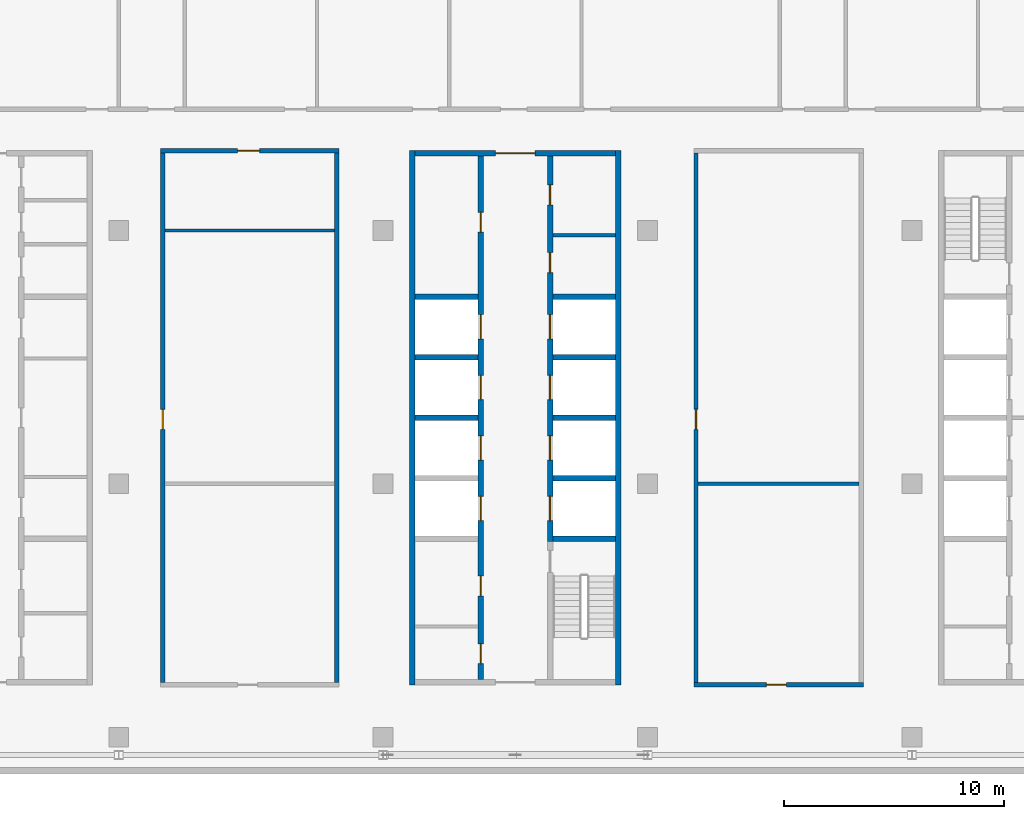
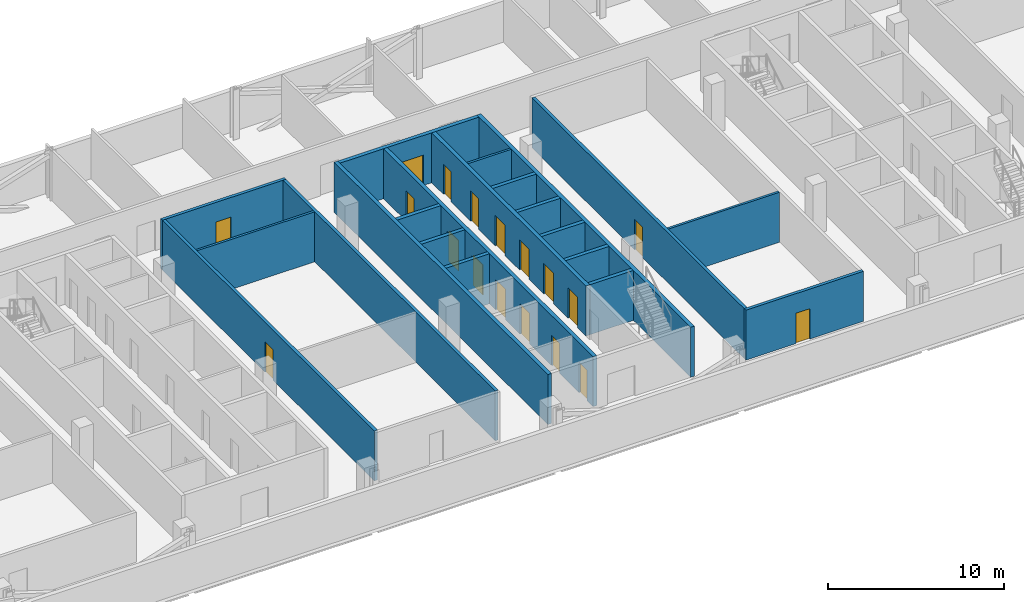
# One storey, part 15 of 29: 21 walls, 18 doors, 18 openings.
"""IFC4 building model written with IfcOpenShell, lengths in metres."""

from ifc_helpers import new_model, si_unit, direction, frame, frame_2d, origin, place, context, subcontext, project, spatial, rectangle, extrude, material, layer, layer_set, type_object, element, fill, save


model = new_model("IFC4")

# Units and contexts
model_context = context("Model", 3, precision=1e-05, world=origin(), true_north=direction((0.0, 1.0)))
body_context = subcontext(model_context, "Body", "Model", "MODEL_VIEW")
ifc_project = project(units=[si_unit("LENGTHUNIT", "METRE"), si_unit("AREAUNIT", "SQUARE_METRE"), si_unit("VOLUMEUNIT", "CUBIC_METRE"), si_unit("PLANEANGLEUNIT", "RADIAN"), si_unit("MASSUNIT", "GRAM", prefix="KILO")], contexts=[model_context])

# Site, building, storey
site_placement = place(None, origin())
site = spatial("IfcSite", under=ifc_project, at=site_placement, CompositionType="ELEMENT")
building_placement = place(site_placement, origin())
building = spatial("IfcBuilding", under=site, at=building_placement, Name="Mahtab Terrace Research Tower", CompositionType="ELEMENT")
storey_placement = place(building_placement, frame((0.0, 0.0, 274.699951171875)))
storey = spatial("IfcBuildingStorey", under=building, at=storey_placement, Name="L67", CompositionType="ELEMENT", Elevation=274.699951171875)

# Walls
ifc_material_1 = material(Name="Gypsum board partition")
ifc_layer_1 = layer(ifc_material_1, 0.14990234375)
ifc_layer_set_1 = layer_set([ifc_layer_1], Name="Core partition 150")
wall_type_1 = type_object("IfcWallType", Name="Core partition 150", PredefinedType="PARTITIONING", material=ifc_layer_set_1)
wall_1_placement = place(storey_placement, frame((1.699951171875, 11.27490234375, 0.0), z_axis=(0.0, 0.0, 1.0), x_axis=(1.0, 0.0, 0.0)))
element("IfcWall", 1, at=wall_1_placement, inside=storey, type_object=wall_type_1, Name="Core wall B pEN828", PredefinedType="PARTITIONING", context=body_context, shape_type="SweptSolid", body=[
    extrude(rectangle(XDim=2.85009765625, YDim=0.14990234375, at=frame_2d((1.425048828125, 0.0))), origin(), (0.0, 0.0, 1.0), 3.4599609375),
])
ifc_material_2 = material(Name="Concrete C70/85", Category="concrete")
ifc_layer_2 = layer(ifc_material_2, 0.25)
ifc_layer_set_2 = layer_set([ifc_layer_2], Name="Core wall 250")
wall_type_2 = type_object("IfcWallType", Name="Core wall 250", PredefinedType="SOLIDWALL", material=ifc_layer_set_2)
for number, where, z_axis, x_axis, name in (
    (2, (-4.675048828125, 15.125, 0.0), (0.0, 0.0, 1.0), (0.0, -1.0, 0.0), "Core wall B outerW"),
    (3, (4.675048828125, -9.125, 0.0), (0.0, 0.0, 1.0), (0.0, 1.0, 0.0), "Core wall B outerE"),
):
    element("IfcWall", number, at=place(storey_placement, frame(where, z_axis=z_axis, x_axis=x_axis)), inside=storey, type_object=wall_type_2, Name=name, PredefinedType="SOLIDWALL", context=body_context, shape_type="SweptSolid", body=[
        extrude(rectangle(XDim=24.25, YDim=0.25, at=frame_2d((12.125, 0.0))), origin(), (0.0, 0.0, 1.0), 3.4599609375),
    ])

# Wall, opening, door
wall_2_placement = place(storey_placement, frame((-4.550048828125, 15.0, 0.0), z_axis=(0.0, 0.0, 1.0), x_axis=(1.0, 0.0, 0.0)))
wall_2 = element("IfcWall", 4, at=wall_2_placement, inside=storey, type_object=wall_type_2, Name="Core wall B endN", PredefinedType="SOLIDWALL", context=body_context, shape_type="SweptSolid", body=[
    extrude(rectangle(XDim=9.10009765625, YDim=0.25, at=frame_2d((4.550048828125, 0.0))), origin(), (0.0, 0.0, 1.0), 3.4599609375),
])
opening_1_placement = place(wall_2_placement, frame((3.64990234375, 0.0, 0.0)))
opening_1 = element("IfcOpeningElement", 5, at=opening_1_placement, cuts=wall_2, Name="Opening B-N1", PredefinedType="OPENING", context=body_context, shape_type="SweptSolid", body=[
    extrude(rectangle(XDim=1.800048828125, YDim=2.10009765625, at=frame_2d((0.89990234375, 1.050048828125))), frame((0.0, 0.135009765625, 0.0), z_axis=(0.0, -1.0, 0.0), x_axis=(1.0, 0.0, 0.0)), (0.0, 0.0, 1.0), 0.27001953125),
])
ifc_material_3 = material(Name="Steel fire door", Category="steel")
door_type_1 = type_object("IfcDoorType", Name="Lobby double door 1800x2100 1 HR", OperationType="DOUBLE_DOOR_SINGLE_SWING", PredefinedType="DOOR", material=ifc_material_3)
door_1_placement = place(opening_1_placement, origin())
door_1 = element("IfcDoor", 6, at=door_1_placement, inside=storey, type_object=door_type_1, Name="Core entrance door B N", OperationType="DOUBLE_DOOR_SINGLE_SWING", OverallHeight=2.10009765625, OverallWidth=1.800048828125, PredefinedType="DOOR", context=body_context, shape_type="SweptSolid", body=[
    extrude(rectangle(XDim=1.800048828125, YDim=2.10009765625, at=frame_2d((0.89990234375, 1.050048828125))), frame((0.0, 0.02490234375, 0.0), z_axis=(0.0, -1.0, 0.0), x_axis=(1.0, 0.0, 0.0)), (0.0, 0.0, 1.0), 0.050048828125),
])
fill(opening_1, door_1)

# Wall, openings, doors
wall_3_placement = place(storey_placement, frame((-1.574951171875, -8.875, 0.0), z_axis=(0.0, 0.0, 1.0), x_axis=(0.0, 1.0, 0.0)))
wall_3 = element("IfcWall", 7, at=wall_3_placement, inside=storey, type_object=wall_type_2, Name="Core wall B innerWSLN", PredefinedType="SOLIDWALL", context=body_context, shape_type="SweptSolid", body=[
    extrude(rectangle(XDim=23.75, YDim=0.25, at=frame_2d((11.875, 0.0))), origin(), (0.0, 0.0, 1.0), 3.4599609375),
])
opening_2_placement = place(wall_3_placement, frame((7.199951171875, 0.0, 0.0)))
opening_2 = element("IfcOpeningElement", 8, at=opening_2_placement, cuts=wall_3, Name="Opening LD09-L67", PredefinedType="OPENING", context=body_context, shape_type="SweptSolid", body=[
    extrude(rectangle(XDim=1.10009765625, YDim=2.10009765625, at=frame_2d((0.550048828125, 1.050048828125))), frame((0.0, 0.135009765625, 0.0), z_axis=(0.0, -1.0, 0.0), x_axis=(1.0, 0.0, 0.0)), (0.0, 0.0, 1.0), 0.27001953125),
])
opening_3_placement = place(wall_3_placement, frame((9.949951171875, 0.0, 0.0)))
opening_3 = element("IfcOpeningElement", 9, at=opening_3_placement, cuts=wall_3, Name="Opening LD10-L67", PredefinedType="OPENING", context=body_context, shape_type="SweptSolid", body=[
    extrude(rectangle(XDim=1.10009765625, YDim=2.10009765625, at=frame_2d((0.550048828125, 1.050048828125))), frame((0.0, 0.135009765625, 0.0), z_axis=(0.0, -1.0, 0.0), x_axis=(1.0, 0.0, 0.0)), (0.0, 0.0, 1.0), 0.27001953125),
])
opening_4_placement = place(wall_3_placement, frame((12.699951171875, 0.0, 0.0)))
opening_4 = element("IfcOpeningElement", 10, at=opening_4_placement, cuts=wall_3, Name="Opening LD11-L67", PredefinedType="OPENING", context=body_context, shape_type="SweptSolid", body=[
    extrude(rectangle(XDim=1.10009765625, YDim=2.10009765625, at=frame_2d((0.550048828125, 1.050048828125))), frame((0.0, 0.135009765625, 0.0), z_axis=(0.0, -1.0, 0.0), x_axis=(1.0, 0.0, 0.0)), (0.0, 0.0, 1.0), 0.27001953125),
])
opening_5_placement = place(wall_3_placement, frame((15.449951171875, 0.0, 0.0)))
opening_5 = element("IfcOpeningElement", 11, at=opening_5_placement, cuts=wall_3, Name="Opening LD12-L67", PredefinedType="OPENING", context=body_context, shape_type="SweptSolid", body=[
    extrude(rectangle(XDim=1.10009765625, YDim=2.10009765625, at=frame_2d((0.550048828125, 1.050048828125))), frame((0.0, 0.135009765625, 0.0), z_axis=(0.0, -1.0, 0.0), x_axis=(1.0, 0.0, 0.0)), (0.0, 0.0, 1.0), 0.27001953125),
])
opening_6_placement = place(wall_3_placement, frame((0.71240234375, 0.0, 0.0)))
opening_6 = element("IfcOpeningElement", 12, at=opening_6_placement, cuts=wall_3, Name="Opening B-R1", PredefinedType="OPENING", context=body_context, shape_type="SweptSolid", body=[
    extrude(rectangle(XDim=0.89990234375, YDim=2.10009765625, at=frame_2d((0.449951171875, 1.050048828125))), frame((0.0, 0.135009765625, 0.0), z_axis=(0.0, -1.0, 0.0), x_axis=(1.0, 0.0, 0.0)), (0.0, 0.0, 1.0), 0.27001953125),
])
opening_7_placement = place(wall_3_placement, frame((3.78759765625, 0.0, 0.0)))
opening_7 = element("IfcOpeningElement", 13, at=opening_7_placement, cuts=wall_3, Name="Opening B-R2", PredefinedType="OPENING", context=body_context, shape_type="SweptSolid", body=[
    extrude(rectangle(XDim=0.89990234375, YDim=2.10009765625, at=frame_2d((0.449951171875, 1.050048828125))), frame((0.0, 0.135009765625, 0.0), z_axis=(0.0, -1.0, 0.0), x_axis=(1.0, 0.0, 0.0)), (0.0, 0.0, 1.0), 0.27001953125),
])
opening_8_placement = place(wall_3_placement, frame((20.300048828125, 0.0, 0.0)))
opening_8 = element("IfcOpeningElement", 14, at=opening_8_placement, cuts=wall_3, Name="Opening B-R3", PredefinedType="OPENING", context=body_context, shape_type="SweptSolid", body=[
    extrude(rectangle(XDim=0.89990234375, YDim=2.10009765625, at=frame_2d((0.449951171875, 1.050048828125))), frame((0.0, 0.135009765625, 0.0), z_axis=(0.0, -1.0, 0.0), x_axis=(1.0, 0.0, 0.0)), (0.0, 0.0, 1.0), 0.27001953125),
])
ifc_material_4 = material(Name="Stainless steel AISI 304", Category="steel")
door_type_2 = type_object("IfcDoorType", Name="Landing door 1100x2100", OperationType="DOUBLE_DOOR_SLIDING", PredefinedType="DOOR", material=ifc_material_4)
door_2_placement = place(opening_2_placement, origin())
door_2 = element("IfcDoor", 15, at=door_2_placement, inside=storey, type_object=door_type_2, Name="Landing door HR1 L67", OperationType="DOUBLE_DOOR_SLIDING", OverallHeight=2.10009765625, OverallWidth=1.10009765625, PredefinedType="DOOR", context=body_context, shape_type="SweptSolid", body=[
    extrude(rectangle(XDim=1.10009765625, YDim=2.10009765625, at=frame_2d((0.550048828125, 1.050048828125))), frame((0.0, 0.02490234375, 0.0), z_axis=(0.0, -1.0, 0.0), x_axis=(1.0, 0.0, 0.0)), (0.0, 0.0, 1.0), 0.050048828125),
])
fill(opening_2, door_2)
door_3_placement = place(opening_3_placement, origin())
door_3 = element("IfcDoor", 16, at=door_3_placement, inside=storey, type_object=door_type_2, Name="Landing door HR2 L67", OperationType="DOUBLE_DOOR_SLIDING", OverallHeight=2.10009765625, OverallWidth=1.10009765625, PredefinedType="DOOR", context=body_context, shape_type="SweptSolid", body=[
    extrude(rectangle(XDim=1.10009765625, YDim=2.10009765625, at=frame_2d((0.550048828125, 1.050048828125))), frame((0.0, 0.02490234375, 0.0), z_axis=(0.0, -1.0, 0.0), x_axis=(1.0, 0.0, 0.0)), (0.0, 0.0, 1.0), 0.050048828125),
])
fill(opening_3, door_3)
door_4_placement = place(opening_4_placement, origin())
door_4 = element("IfcDoor", 17, at=door_4_placement, inside=storey, type_object=door_type_2, Name="Landing door HR3 L67", OperationType="DOUBLE_DOOR_SLIDING", OverallHeight=2.10009765625, OverallWidth=1.10009765625, PredefinedType="DOOR", context=body_context, shape_type="SweptSolid", body=[
    extrude(rectangle(XDim=1.10009765625, YDim=2.10009765625, at=frame_2d((0.550048828125, 1.050048828125))), frame((0.0, 0.02490234375, 0.0), z_axis=(0.0, -1.0, 0.0), x_axis=(1.0, 0.0, 0.0)), (0.0, 0.0, 1.0), 0.050048828125),
])
fill(opening_4, door_4)
door_5_placement = place(opening_5_placement, origin())
door_5 = element("IfcDoor", 18, at=door_5_placement, inside=storey, type_object=door_type_2, Name="Landing door HR4 L67", OperationType="DOUBLE_DOOR_SLIDING", OverallHeight=2.10009765625, OverallWidth=1.10009765625, PredefinedType="DOOR", context=body_context, shape_type="SweptSolid", body=[
    extrude(rectangle(XDim=1.10009765625, YDim=2.10009765625, at=frame_2d((0.550048828125, 1.050048828125))), frame((0.0, 0.02490234375, 0.0), z_axis=(0.0, -1.0, 0.0), x_axis=(1.0, 0.0, 0.0)), (0.0, 0.0, 1.0), 0.050048828125),
])
fill(opening_5, door_5)
door_type_3 = type_object("IfcDoorType", Name="Room door 900x2100 1 HR", OperationType="NOTDEFINED", PredefinedType="DOOR", material=ifc_material_3)
door_6_placement = place(opening_6_placement, origin())
door_6 = element("IfcDoor", 19, at=door_6_placement, inside=storey, type_object=door_type_3, Name="Mechanical riser room door", OperationType="SINGLE_SWING_LEFT", OverallHeight=2.10009765625, OverallWidth=0.89990234375, PredefinedType="DOOR", context=body_context, shape_type="SweptSolid", body=[
    extrude(rectangle(XDim=0.89990234375, YDim=2.10009765625, at=frame_2d((0.449951171875, 1.050048828125))), frame((0.0, 0.02490234375, 0.0), z_axis=(0.0, -1.0, 0.0), x_axis=(1.0, 0.0, 0.0)), (0.0, 0.0, 1.0), 0.050048828125),
])
fill(opening_6, door_6)
door_7_placement = place(opening_7_placement, origin())
door_7 = element("IfcDoor", 20, at=door_7_placement, inside=storey, type_object=door_type_3, Name="Chemical store door", OperationType="SINGLE_SWING_RIGHT", OverallHeight=2.10009765625, OverallWidth=0.89990234375, PredefinedType="DOOR", context=body_context, shape_type="SweptSolid", body=[
    extrude(rectangle(XDim=0.89990234375, YDim=2.10009765625, at=frame_2d((0.449951171875, 1.050048828125))), frame((0.0, 0.02490234375, 0.0), z_axis=(0.0, -1.0, 0.0), x_axis=(1.0, 0.0, 0.0)), (0.0, 0.0, 1.0), 0.050048828125),
])
fill(opening_7, door_7)
door_8_placement = place(opening_8_placement, origin())
door_8 = element("IfcDoor", 21, at=door_8_placement, inside=storey, type_object=door_type_3, Name="Gas cylinder store door", OperationType="SINGLE_SWING_LEFT", OverallHeight=2.10009765625, OverallWidth=0.89990234375, PredefinedType="DOOR", context=body_context, shape_type="SweptSolid", body=[
    extrude(rectangle(XDim=0.89990234375, YDim=2.10009765625, at=frame_2d((0.449951171875, 1.050048828125))), frame((0.0, 0.02490234375, 0.0), z_axis=(0.0, -1.0, 0.0), x_axis=(1.0, 0.0, 0.0)), (0.0, 0.0, 1.0), 0.050048828125),
])
fill(opening_8, door_8)

wall_4_placement = place(storey_placement, frame((1.574951171875, 14.875, 0.0), z_axis=(0.0, 0.0, 1.0), x_axis=(0.0, -1.0, 0.0)))
wall_4 = element("IfcWall", 22, at=wall_4_placement, inside=storey, type_object=wall_type_2, Name="Core wall B innerELN", PredefinedType="SOLIDWALL", context=body_context, shape_type="SweptSolid", body=[
    extrude(rectangle(XDim=17.5, YDim=0.25, at=frame_2d((8.75, 0.0))), origin(), (0.0, 0.0, 1.0), 3.4599609375),
])
opening_9_placement = place(wall_4_placement, frame((15.449951171875, 0.0, 0.0)))
opening_9 = element("IfcOpeningElement", 23, at=opening_9_placement, cuts=wall_4, Name="Opening LD13-L67", PredefinedType="OPENING", context=body_context, shape_type="SweptSolid", body=[
    extrude(rectangle(XDim=1.10009765625, YDim=2.10009765625, at=frame_2d((0.550048828125, 1.050048828125))), frame((0.0, 0.135009765625, 0.0), z_axis=(0.0, -1.0, 0.0), x_axis=(1.0, 0.0, 0.0)), (0.0, 0.0, 1.0), 0.27001953125),
])
opening_10_placement = place(wall_4_placement, frame((12.699951171875, 0.0, 0.0)))
opening_10 = element("IfcOpeningElement", 24, at=opening_10_placement, cuts=wall_4, Name="Opening LD14-L67", PredefinedType="OPENING", context=body_context, shape_type="SweptSolid", body=[
    extrude(rectangle(XDim=1.10009765625, YDim=2.10009765625, at=frame_2d((0.550048828125, 1.050048828125))), frame((0.0, 0.135009765625, 0.0), z_axis=(0.0, -1.0, 0.0), x_axis=(1.0, 0.0, 0.0)), (0.0, 0.0, 1.0), 0.27001953125),
])
opening_11_placement = place(wall_4_placement, frame((9.949951171875, 0.0, 0.0)))
opening_11 = element("IfcOpeningElement", 25, at=opening_11_placement, cuts=wall_4, Name="Opening LD15-L67", PredefinedType="OPENING", context=body_context, shape_type="SweptSolid", body=[
    extrude(rectangle(XDim=1.10009765625, YDim=2.10009765625, at=frame_2d((0.550048828125, 1.050048828125))), frame((0.0, 0.135009765625, 0.0), z_axis=(0.0, -1.0, 0.0), x_axis=(1.0, 0.0, 0.0)), (0.0, 0.0, 1.0), 0.27001953125),
])
opening_12_placement = place(wall_4_placement, frame((7.199951171875, 0.0, 0.0)))
opening_12 = element("IfcOpeningElement", 26, at=opening_12_placement, cuts=wall_4, Name="Opening LD16-L67", PredefinedType="OPENING", context=body_context, shape_type="SweptSolid", body=[
    extrude(rectangle(XDim=1.10009765625, YDim=2.10009765625, at=frame_2d((0.550048828125, 1.050048828125))), frame((0.0, 0.135009765625, 0.0), z_axis=(0.0, -1.0, 0.0), x_axis=(1.0, 0.0, 0.0)), (0.0, 0.0, 1.0), 0.27001953125),
])
opening_13_placement = place(wall_4_placement, frame((4.387451171875, 0.0, 0.0)))
opening_13 = element("IfcOpeningElement", 27, at=opening_13_placement, cuts=wall_4, Name="Opening B-R4", PredefinedType="OPENING", context=body_context, shape_type="SweptSolid", body=[
    extrude(rectangle(XDim=0.89990234375, YDim=2.10009765625, at=frame_2d((0.449951171875, 1.050048828125))), frame((0.0, 0.135009765625, 0.0), z_axis=(0.0, -1.0, 0.0), x_axis=(1.0, 0.0, 0.0)), (0.0, 0.0, 1.0), 0.27001953125),
])
opening_14_placement = place(wall_4_placement, frame((1.3125, 0.0, 0.0)))
opening_14 = element("IfcOpeningElement", 28, at=opening_14_placement, cuts=wall_4, Name="Opening B-R5", PredefinedType="OPENING", context=body_context, shape_type="SweptSolid", body=[
    extrude(rectangle(XDim=0.89990234375, YDim=2.10009765625, at=frame_2d((0.449951171875, 1.050048828125))), frame((0.0, 0.135009765625, 0.0), z_axis=(0.0, -1.0, 0.0), x_axis=(1.0, 0.0, 0.0)), (0.0, 0.0, 1.0), 0.27001953125),
])
door_9_placement = place(opening_9_placement, origin())
door_9 = element("IfcDoor", 29, at=door_9_placement, inside=storey, type_object=door_type_2, Name="Landing door HR5 L67", OperationType="DOUBLE_DOOR_SLIDING", OverallHeight=2.10009765625, OverallWidth=1.10009765625, PredefinedType="DOOR", context=body_context, shape_type="SweptSolid", body=[
    extrude(rectangle(XDim=1.10009765625, YDim=2.10009765625, at=frame_2d((0.550048828125, 1.050048828125))), frame((0.0, 0.02490234375, 0.0), z_axis=(0.0, -1.0, 0.0), x_axis=(1.0, 0.0, 0.0)), (0.0, 0.0, 1.0), 0.050048828125),
])
fill(opening_9, door_9)
door_10_placement = place(opening_10_placement, origin())
door_10 = element("IfcDoor", 30, at=door_10_placement, inside=storey, type_object=door_type_2, Name="Landing door HR6 L67", OperationType="DOUBLE_DOOR_SLIDING", OverallHeight=2.10009765625, OverallWidth=1.10009765625, PredefinedType="DOOR", context=body_context, shape_type="SweptSolid", body=[
    extrude(rectangle(XDim=1.10009765625, YDim=2.10009765625, at=frame_2d((0.550048828125, 1.050048828125))), frame((0.0, 0.02490234375, 0.0), z_axis=(0.0, -1.0, 0.0), x_axis=(1.0, 0.0, 0.0)), (0.0, 0.0, 1.0), 0.050048828125),
])
fill(opening_10, door_10)
door_11_placement = place(opening_11_placement, origin())
door_11 = element("IfcDoor", 31, at=door_11_placement, inside=storey, type_object=door_type_2, Name="Landing door HR7 L67", OperationType="DOUBLE_DOOR_SLIDING", OverallHeight=2.10009765625, OverallWidth=1.10009765625, PredefinedType="DOOR", context=body_context, shape_type="SweptSolid", body=[
    extrude(rectangle(XDim=1.10009765625, YDim=2.10009765625, at=frame_2d((0.550048828125, 1.050048828125))), frame((0.0, 0.02490234375, 0.0), z_axis=(0.0, -1.0, 0.0), x_axis=(1.0, 0.0, 0.0)), (0.0, 0.0, 1.0), 0.050048828125),
])
fill(opening_11, door_11)
door_12_placement = place(opening_12_placement, origin())
door_12 = element("IfcDoor", 32, at=door_12_placement, inside=storey, type_object=door_type_2, Name="Landing door HR8 L67", OperationType="DOUBLE_DOOR_SLIDING", OverallHeight=2.10009765625, OverallWidth=1.10009765625, PredefinedType="DOOR", context=body_context, shape_type="SweptSolid", body=[
    extrude(rectangle(XDim=1.10009765625, YDim=2.10009765625, at=frame_2d((0.550048828125, 1.050048828125))), frame((0.0, 0.02490234375, 0.0), z_axis=(0.0, -1.0, 0.0), x_axis=(1.0, 0.0, 0.0)), (0.0, 0.0, 1.0), 0.050048828125),
])
fill(opening_12, door_12)
door_13_placement = place(opening_13_placement, origin())
door_13 = element("IfcDoor", 33, at=door_13_placement, inside=storey, type_object=door_type_3, Name="Accessible WC door", OperationType="SINGLE_SWING_RIGHT", OverallHeight=2.10009765625, OverallWidth=0.89990234375, PredefinedType="DOOR", context=body_context, shape_type="SweptSolid", body=[
    extrude(rectangle(XDim=0.89990234375, YDim=2.10009765625, at=frame_2d((0.449951171875, 1.050048828125))), frame((0.0, 0.02490234375, 0.0), z_axis=(0.0, -1.0, 0.0), x_axis=(1.0, 0.0, 0.0)), (0.0, 0.0, 1.0), 0.050048828125),
])
fill(opening_13, door_13)
door_14_placement = place(opening_14_placement, origin())
door_14 = element("IfcDoor", 34, at=door_14_placement, inside=storey, type_object=door_type_3, Name="WC block door", OperationType="SINGLE_SWING_LEFT", OverallHeight=2.10009765625, OverallWidth=0.89990234375, PredefinedType="DOOR", context=body_context, shape_type="SweptSolid", body=[
    extrude(rectangle(XDim=0.89990234375, YDim=2.10009765625, at=frame_2d((0.449951171875, 1.050048828125))), frame((0.0, 0.02490234375, 0.0), z_axis=(0.0, -1.0, 0.0), x_axis=(1.0, 0.0, 0.0)), (0.0, 0.0, 1.0), 0.050048828125),
])
fill(opening_14, door_14)

# Walls
for number, where, z_axis, x_axis, name in (
    (35, (-4.550048828125, 3.0, 0.0), (0.0, 0.0, 1.0), (1.0, 0.0, 0.0), "Core wall B divW2"),
    (36, (-4.550048828125, 5.75, 0.0), (0.0, 0.0, 1.0), (1.0, 0.0, 0.0), "Core wall B divW3"),
    (37, (-4.550048828125, 8.5, 0.0), (0.0, 0.0, 1.0), (1.0, 0.0, 0.0), "Core wall B divW4"),
    (38, (1.699951171875, -2.5, 0.0), (0.0, 0.0, 1.0), (1.0, 0.0, 0.0), "Core wall B divE0"),
    (39, (1.699951171875, 0.25, 0.0), (0.0, 0.0, 1.0), (1.0, 0.0, 0.0), "Core wall B divE1"),
    (40, (1.699951171875, 3.0, 0.0), (0.0, 0.0, 1.0), (1.0, 0.0, 0.0), "Core wall B divE2"),
    (41, (1.699951171875, 5.75, 0.0), (0.0, 0.0, 1.0), (1.0, 0.0, 0.0), "Core wall B divE3"),
    (42, (1.699951171875, 8.5, 0.0), (0.0, 0.0, 1.0), (1.0, 0.0, 0.0), "Core wall B divE4"),
):
    element("IfcWall", number, at=place(storey_placement, frame(where, z_axis=z_axis, x_axis=x_axis)), inside=storey, type_object=wall_type_2, Name=name, PredefinedType="SOLIDWALL", context=body_context, shape_type="SweptSolid", body=[
        extrude(rectangle(XDim=2.85009765625, YDim=0.25, at=frame_2d((1.425048828125, 0.0))), origin(), (0.0, 0.0, 1.0), 3.4599609375),
    ])

# Wall, opening, door
ifc_material_5 = material(Name="Gypsum board corridor wall on steel studs", Category="steel")
ifc_layer_3 = layer(ifc_material_5, 0.199951171875)
ifc_layer_set_3 = layer_set([ifc_layer_3], Name="WALL CORRIDOR 200")
wall_type_3 = type_object("IfcWallType", Name="WALL CORRIDOR 200", PredefinedType="PARTITIONING", material=ifc_layer_set_3)
wall_5_placement = place(storey_placement, frame((8.10009765625, -9.125, 0.0), z_axis=(0.0, 0.0, 1.0), x_axis=(1.0, 0.0, 0.0)))
wall_5 = element("IfcWall", 43, at=wall_5_placement, inside=storey, type_object=wall_type_3, Name="L67-W003", PredefinedType="PARTITIONING", context=body_context, shape_type="SweptSolid", body=[
    extrude(rectangle(XDim=7.699951171875, YDim=0.199951171875, at=frame_2d((3.85009765625, 0.0))), origin(), (0.0, 0.0, 1.0), 3.4599609375),
])
opening_15_placement = place(wall_5_placement, frame((3.300048828125, 0.0, 0.0)))
opening_15 = element("IfcOpeningElement", 44, at=opening_15_placement, cuts=wall_5, Name="Opening L67-103", PredefinedType="OPENING", context=body_context, shape_type="SweptSolid", body=[
    extrude(rectangle(XDim=0.89990234375, YDim=2.10009765625, at=frame_2d((0.449951171875, 1.050048828125))), frame((0.0, 0.10986328125, 0.0), z_axis=(0.0, -1.0, 0.0), x_axis=(1.0, 0.0, 0.0)), (0.0, 0.0, 1.0), 0.219970703125),
])
ifc_material_6 = material(Name="Timber door leaf in steel frame", Category="steel")
door_type_4 = type_object("IfcDoorType", Name="DOOR 0900X2100 FD30S", OperationType="SINGLE_SWING_LEFT", PredefinedType="DOOR", material=ifc_material_6)
door_15_placement = place(opening_15_placement, origin())
door_15 = element("IfcDoor", 45, at=door_15_placement, inside=storey, type_object=door_type_4, Name="Door L67-103", OperationType="SINGLE_SWING_LEFT", OverallHeight=2.10009765625, OverallWidth=0.89990234375, PredefinedType="DOOR", context=body_context, shape_type="SweptSolid", body=[
    extrude(rectangle(XDim=0.89990234375, YDim=2.10009765625, at=frame_2d((0.449951171875, 1.050048828125))), frame((0.0, 0.02490234375, 0.0), z_axis=(0.0, -1.0, 0.0), x_axis=(1.0, 0.0, 0.0)), (0.0, 0.0, 1.0), 0.050048828125),
])
fill(opening_15, door_15)

wall_6_placement = place(storey_placement, frame((-16.10009765625, 15.125, 0.0), z_axis=(0.0, 0.0, 1.0), x_axis=(1.0, 0.0, 0.0)))
wall_6 = element("IfcWall", 46, at=wall_6_placement, inside=storey, type_object=wall_type_3, Name="L67-W015", PredefinedType="PARTITIONING", context=body_context, shape_type="SweptSolid", body=[
    extrude(rectangle(XDim=8.10009765625, YDim=0.199951171875, at=frame_2d((4.050048828125, 0.0))), origin(), (0.0, 0.0, 1.0), 3.4599609375),
])
opening_16_placement = place(wall_6_placement, frame((3.5, 0.0, 0.0)))
opening_16 = element("IfcOpeningElement", 47, at=opening_16_placement, cuts=wall_6, Name="Opening L67-109", PredefinedType="OPENING", context=body_context, shape_type="SweptSolid", body=[
    extrude(rectangle(XDim=1.0, YDim=2.10009765625, at=frame_2d((0.5, 1.050048828125))), frame((0.0, 0.10986328125, 0.0), z_axis=(0.0, -1.0, 0.0), x_axis=(1.0, 0.0, 0.0)), (0.0, 0.0, 1.0), 0.219970703125),
])
door_type_5 = type_object("IfcDoorType", Name="DOOR 1000X2100 FD30S", OperationType="SINGLE_SWING_LEFT", PredefinedType="DOOR", material=ifc_material_6)
door_16_placement = place(opening_16_placement, origin())
door_16 = element("IfcDoor", 48, at=door_16_placement, inside=storey, type_object=door_type_5, Name="Door L67-109", OperationType="SINGLE_SWING_RIGHT", OverallHeight=2.10009765625, OverallWidth=1.0, PredefinedType="DOOR", context=body_context, shape_type="SweptSolid", body=[
    extrude(rectangle(XDim=1.0, YDim=2.10009765625, at=frame_2d((0.5, 1.050048828125))), frame((0.0, 0.02490234375, 0.0), z_axis=(0.0, -1.0, 0.0), x_axis=(1.0, 0.0, 0.0)), (0.0, 0.0, 1.0), 0.050048828125),
])
fill(opening_16, door_16)

wall_7_placement = place(storey_placement, frame((-16.0, -9.02490234375, 0.0), z_axis=(0.0, 0.0, 1.0), x_axis=(0.0, 1.0, 0.0)))
wall_7 = element("IfcWall", 49, at=wall_7_placement, inside=storey, type_object=wall_type_3, Name="L67-W025", PredefinedType="PARTITIONING", context=body_context, shape_type="SweptSolid", body=[
    extrude(rectangle(XDim=24.0498046875, YDim=0.199951171875, at=frame_2d((12.02490234375, 0.0))), origin(), (0.0, 0.0, 1.0), 3.4599609375),
])
opening_17_placement = place(wall_7_placement, frame((11.5, 0.0, 0.0)))
opening_17 = element("IfcOpeningElement", 50, at=opening_17_placement, cuts=wall_7, Name="Opening L67-105", PredefinedType="OPENING", context=body_context, shape_type="SweptSolid", body=[
    extrude(rectangle(XDim=0.89990234375, YDim=2.10009765625, at=frame_2d((0.449951171875, 1.050048828125))), frame((0.0, 0.10986328125, 0.0), z_axis=(0.0, -1.0, 0.0), x_axis=(1.0, 0.0, 0.0)), (0.0, 0.0, 1.0), 0.219970703125),
])
door_17_placement = place(opening_17_placement, origin())
door_17 = element("IfcDoor", 51, at=door_17_placement, inside=storey, type_object=door_type_4, Name="Door L67-105", OperationType="SINGLE_SWING_RIGHT", OverallHeight=2.10009765625, OverallWidth=0.89990234375, PredefinedType="DOOR", context=body_context, shape_type="SweptSolid", body=[
    extrude(rectangle(XDim=0.89990234375, YDim=2.10009765625, at=frame_2d((0.449951171875, 1.050048828125))), frame((0.0, 0.02490234375, 0.0), z_axis=(0.0, -1.0, 0.0), x_axis=(1.0, 0.0, 0.0)), (0.0, 0.0, 1.0), 0.050048828125),
])
fill(opening_17, door_17)

# Wall
wall_8_placement = place(storey_placement, frame((-8.10009765625, -9.02490234375, 0.0), z_axis=(0.0, 0.0, 1.0), x_axis=(0.0, 1.0, 0.0)))
element("IfcWall", 52, at=wall_8_placement, inside=storey, type_object=wall_type_3, Name="L67-W028", PredefinedType="PARTITIONING", context=body_context, shape_type="SweptSolid", body=[
    extrude(rectangle(XDim=24.0498046875, YDim=0.199951171875, at=frame_2d((12.02490234375, 0.0))), origin(), (0.0, 0.0, 1.0), 3.4599609375),
])

# Wall, opening, door
wall_9_placement = place(storey_placement, frame((8.199951171875, -9.02490234375, 0.0), z_axis=(0.0, 0.0, 1.0), x_axis=(0.0, 1.0, 0.0)))
wall_9 = element("IfcWall", 53, at=wall_9_placement, inside=storey, type_object=wall_type_3, Name="L67-W032", PredefinedType="PARTITIONING", context=body_context, shape_type="SweptSolid", body=[
    extrude(rectangle(XDim=24.0498046875, YDim=0.199951171875, at=frame_2d((12.02490234375, 0.0))), origin(), (0.0, 0.0, 1.0), 3.4599609375),
])
opening_18_placement = place(wall_9_placement, frame((11.5, 0.0, 0.0)))
opening_18 = element("IfcOpeningElement", 54, at=opening_18_placement, cuts=wall_9, Name="Opening L67-108", PredefinedType="OPENING", context=body_context, shape_type="SweptSolid", body=[
    extrude(rectangle(XDim=0.89990234375, YDim=2.10009765625, at=frame_2d((0.449951171875, 1.050048828125))), frame((0.0, 0.10986328125, 0.0), z_axis=(0.0, -1.0, 0.0), x_axis=(1.0, 0.0, 0.0)), (0.0, 0.0, 1.0), 0.219970703125),
])
door_18_placement = place(opening_18_placement, origin())
door_18 = element("IfcDoor", 55, at=door_18_placement, inside=storey, type_object=door_type_4, Name="Door L67-108", OperationType="SINGLE_SWING_RIGHT", OverallHeight=2.10009765625, OverallWidth=0.89990234375, PredefinedType="DOOR", context=body_context, shape_type="SweptSolid", body=[
    extrude(rectangle(XDim=0.89990234375, YDim=2.10009765625, at=frame_2d((0.449951171875, 1.050048828125))), frame((0.0, 0.02490234375, 0.0), z_axis=(0.0, -1.0, 0.0), x_axis=(1.0, 0.0, 0.0)), (0.0, 0.0, 1.0), 0.050048828125),
])
fill(opening_18, door_18)

# Walls
ifc_material_7 = material(Name="Gypsum board partition on steel studs", Category="steel")
ifc_layer_4 = layer(ifc_material_7, 0.14990234375)
ifc_layer_set_4 = layer_set([ifc_layer_4], Name="WALL PARTITION 150")
wall_type_4 = type_object("IfcWallType", Name="WALL PARTITION 150", PredefinedType="PARTITIONING", material=ifc_layer_set_4)
wall_10_placement = place(storey_placement, frame((8.300048828125, 0.0, 0.0), z_axis=(0.0, 0.0, 1.0), x_axis=(1.0, 0.0, 0.0)))
element("IfcWall", 56, at=wall_10_placement, inside=storey, type_object=wall_type_4, Name="L67-W008", PredefinedType="PARTITIONING", context=body_context, shape_type="SweptSolid", body=[
    extrude(rectangle(XDim=7.300048828125, YDim=0.14990234375, at=frame_2d((3.64990234375, 0.0))), origin(), (0.0, 0.0, 1.0), 3.4599609375),
])
wall_11_placement = place(storey_placement, frame((-15.89990234375, 11.5, 0.0), z_axis=(0.0, 0.0, 1.0), x_axis=(1.0, 0.0, 0.0)))
element("IfcWall", 57, at=wall_11_placement, inside=storey, type_object=wall_type_4, Name="L67-W011", PredefinedType="PARTITIONING", context=body_context, shape_type="SweptSolid", body=[
    extrude(rectangle(XDim=7.699951171875, YDim=0.14990234375, at=frame_2d((3.85009765625, 0.0))), origin(), (0.0, 0.0, 1.0), 3.4599609375),
])

save(model, "model.ifc")
